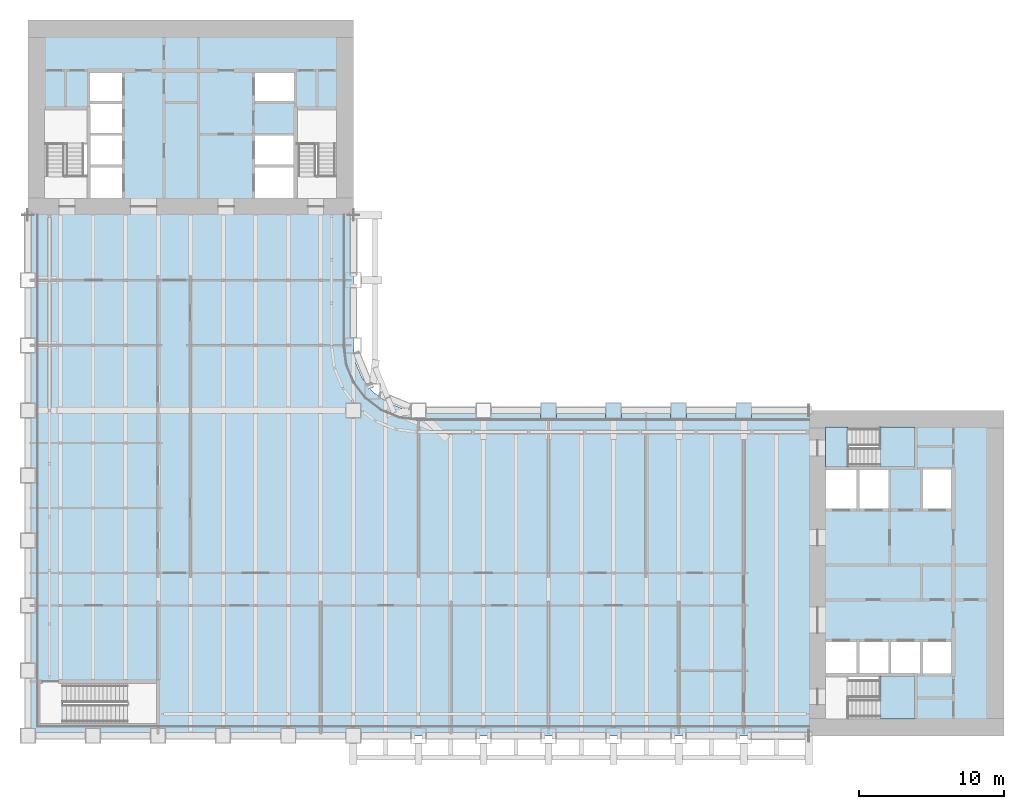
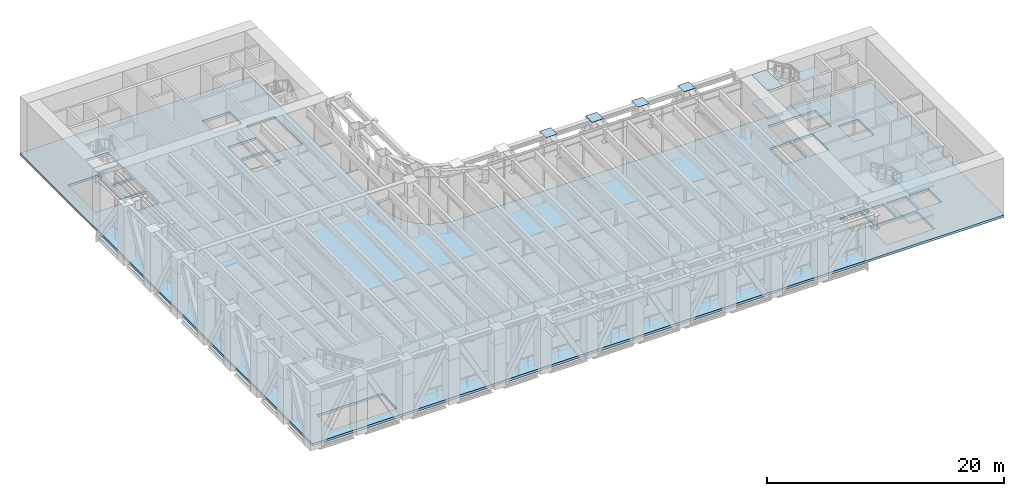
# One storey, part 4 of 19: 7 slabs, 4 plates, 2 elements without a shape of their own.
"""IFC4 building model written with IfcOpenShell, lengths in metres."""

from ifc_helpers import new_model, si_unit, direction, frame, origin, origin_2d, place, context, subcontext, project, spatial, polyline, rectangle, outline, extrude, material, layer, layer_set, type_object, element, aggregate, save


model = new_model("IFC4")

# Units and contexts
model_context = context("Model", 3, precision=1e-05, world=origin(), true_north=direction((0.0, 1.0)))
body_context = subcontext(model_context, "Body", "Model", "MODEL_VIEW")
ifc_project = project(units=[si_unit("LENGTHUNIT", "METRE"), si_unit("AREAUNIT", "SQUARE_METRE"), si_unit("VOLUMEUNIT", "CUBIC_METRE"), si_unit("PLANEANGLEUNIT", "RADIAN"), si_unit("MASSUNIT", "GRAM", prefix="KILO")], contexts=[model_context])

# Site, building, storey
site_placement = place(None, origin())
site = spatial("IfcSite", under=ifc_project, at=site_placement, CompositionType="ELEMENT")
building_placement = place(site_placement, origin())
building = spatial("IfcBuilding", under=site, at=building_placement, Name="Sennacour Bend Tower", CompositionType="ELEMENT")
storey_placement = place(building_placement, frame((0.0, 0.0, 77.0)))
storey = spatial("IfcBuildingStorey", under=building, at=storey_placement, Name="L17", CompositionType="ELEMENT", Elevation=77.0)

# Plates
ifc_material_1 = material(Name="Steel ASTM A572 Grade 50", Category="steel")
ifc_layer_1 = layer(ifc_material_1, 0.02490234375, Name="Steel ASTM A572 Grade 50", Category="steel")
ifc_layer_set_1 = layer_set([ifc_layer_1], Name="Steel ASTM A572 Grade 50")
plate_type = type_object("IfcPlateType", Name="Column cap plate 1100", PredefinedType="USERDEFINED", material=ifc_layer_set_1)
for number, where, z_axis, x_axis, name in (
    (1, (36.0, 22.5, 5.85009765625), (0.0, 0.0, 1.0), (1.0, 0.0, 0.0), "Column cap plate L17-023"),
    (2, (40.5, 22.5, 5.85009765625), (0.0, 0.0, 1.0), (1.0, 0.0, 0.0), "Column cap plate L17-025"),
    (3, (45.0, 22.5, 5.85009765625), (0.0, 0.0, 1.0), (1.0, 0.0, 0.0), "Column cap plate L17-027"),
    (4, (49.5, 22.5, 5.85009765625), (0.0, 0.0, 1.0), (1.0, 0.0, 0.0), "Column cap plate L17-029"),
):
    element("IfcPlate", number, at=place(storey_placement, frame(where, z_axis=z_axis, x_axis=x_axis)), inside=storey, type_object=plate_type, Name=name, ObjectType="END PLATE", PredefinedType="USERDEFINED", context=body_context, shape_type="SweptSolid", body=[
        extrude(rectangle(XDim=1.10009765625, YDim=1.10009765625, at=origin_2d()), origin(), (0.0, 0.0, 1.0), 0.02490234375),
    ])

# Slabs
ifc_material_2 = material(Name="Concrete C30/37", Category="concrete")
ifc_layer_2 = layer(ifc_material_2, 0.25, Name="Concrete C30/37", Category="concrete")
ifc_layer_set_2 = layer_set([ifc_layer_2], Name="Concrete C30/37")
slab_type_1 = type_object("IfcSlabType", Name="Floor slab 250", PredefinedType="FLOOR", material=ifc_layer_set_2)
slab_1_placement = place(storey_placement, frame((0.0, 0.0, -0.25)))
element("IfcSlab", 5, at=slab_1_placement, inside=storey, type_object=slab_type_1, Name="Floor slab L17-01", PredefinedType="FLOOR", context=body_context, shape_type="SweptSolid", body=[
    extrude(outline(polyline([(0.0, 36.0), (0.0, 49.5), (22.5, 49.5), (22.5, 36.0), (22.5, 27.0), (22.6533203125, 25.835205078125), (23.102783203125, 24.75), (23.818115234375, 23.818115234375), (24.75, 23.102783203125), (25.835205078125, 22.6533203125), (27.0, 22.5), (54.0, 22.5), (67.5, 22.5), (67.5, 0.0), (54.0, 0.0), (22.5, 0.0), (0.0, 0.0), (0.0, 22.5), (0.0, 36.0)]), holes=[polyline([(8.800048828125, 0.949951171875), (8.800048828125, 3.5), (2.429931640625, 3.5), (2.429931640625, 0.949951171875), (8.800048828125, 0.949951171875)]), polyline([(6.5, 37.199951171875), (6.5, 39.300048828125), (4.300048828125, 39.300048828125), (4.300048828125, 37.199951171875), (6.5, 37.199951171875)]), polyline([(18.39990234375, 37.199951171875), (18.39990234375, 39.300048828125), (15.699951171875, 39.300048828125), (15.699951171875, 37.199951171875), (18.39990234375, 37.199951171875)]), polyline([(6.5, 39.5), (6.5, 41.5), (4.300048828125, 41.5), (4.300048828125, 39.5), (6.5, 39.5)]), polyline([(18.39990234375, 39.5), (18.39990234375, 41.5), (15.699951171875, 41.5), (15.699951171875, 39.5), (18.39990234375, 39.5)]), polyline([(4.125, 38.72998046875), (4.125, 43.39990234375), (1.14990234375, 43.39990234375), (1.14990234375, 38.72998046875), (4.125, 38.72998046875)]), polyline([(21.35009765625, 38.72998046875), (21.35009765625, 43.39990234375), (18.574951171875, 43.39990234375), (18.574951171875, 38.72998046875), (21.35009765625, 38.72998046875)]), polyline([(4.300048828125, 41.699951171875), (6.5, 41.699951171875), (6.5, 43.699951171875), (4.300048828125, 43.699951171875), (4.300048828125, 41.699951171875)]), polyline([(4.300048828125, 43.89990234375), (6.5, 43.89990234375), (6.5, 45.89990234375), (4.300048828125, 45.89990234375), (4.300048828125, 43.89990234375)]), polyline([(18.39990234375, 43.89990234375), (18.39990234375, 45.89990234375), (15.699951171875, 45.89990234375), (15.699951171875, 43.89990234375), (18.39990234375, 43.89990234375)]), polyline([(61.39990234375, 1.14990234375), (61.39990234375, 4.125), (56.72998046875, 4.125), (56.72998046875, 1.14990234375), (61.39990234375, 1.14990234375)]), polyline([(57.300048828125, 4.300048828125), (57.300048828125, 6.5), (55.199951171875, 6.5), (55.199951171875, 4.300048828125), (57.300048828125, 4.300048828125)]), polyline([(57.5, 4.300048828125), (59.5, 4.300048828125), (59.5, 6.5), (57.5, 6.5), (57.5, 4.300048828125)]), polyline([(59.699951171875, 4.300048828125), (61.699951171875, 4.300048828125), (61.699951171875, 6.5), (59.699951171875, 6.5), (59.699951171875, 4.300048828125)]), polyline([(63.89990234375, 4.300048828125), (63.89990234375, 6.5), (61.89990234375, 6.5), (61.89990234375, 4.300048828125), (63.89990234375, 4.300048828125)]), polyline([(57.300048828125, 15.699951171875), (57.300048828125, 18.39990234375), (55.199951171875, 18.39990234375), (55.199951171875, 15.699951171875), (57.300048828125, 15.699951171875)]), polyline([(59.5, 15.699951171875), (59.5, 18.39990234375), (57.5, 18.39990234375), (57.5, 15.699951171875), (59.5, 15.699951171875)]), polyline([(61.89990234375, 15.699951171875), (63.89990234375, 15.699951171875), (63.89990234375, 18.39990234375), (61.89990234375, 18.39990234375), (61.89990234375, 15.699951171875)]), polyline([(56.72998046875, 18.574951171875), (61.39990234375, 18.574951171875), (61.39990234375, 21.35009765625), (56.72998046875, 21.35009765625), (56.72998046875, 18.574951171875)])]), origin(), (0.0, 0.0, 1.0), 0.25),
])
ifc_material_3 = material(Name="Concrete C40/50", Category="concrete")
ifc_layer_3 = layer(ifc_material_3, 0.034912109375, Name="Concrete C40/50", Category="concrete")
ifc_layer_set_3 = layer_set([ifc_layer_3], Name="Concrete C40/50")
slab_type_2 = type_object("IfcSlabType", Name="Stair arrival nib 35", PredefinedType="FLOOR", material=ifc_layer_set_3)
slab_2_placement = place(storey_placement, frame((0.0, 0.0, 5.815185546875)))
element("IfcSlab", 6, at=slab_2_placement, inside=storey, type_object=slab_type_2, Name="L17 SA2 stair arrival nib", PredefinedType="FLOOR", context=body_context, shape_type="SweptSolid", body=[
    extrude(outline(polyline([(56.64208984375, 21.35009765625), (55.14990234375, 21.35009765625), (55.14990234375, 18.574951171875), (56.64208984375, 18.574951171875), (56.64208984375, 21.35009765625)])), origin(), (0.0, 0.0, 1.0), 0.034912109375),
])

# Stair, slabs
stair_type = type_object("IfcStairType", Name="ST-DOGLEG", PredefinedType="HALF_TURN_STAIR", material=ifc_material_3)
stair_1_placement = place(storey_placement, origin())
stair_1 = element("IfcStair", 7, at=stair_1_placement, inside=storey, type_object=stair_type, Name="L17 Exit stair A1", PredefinedType="HALF_TURN_STAIR")
ifc_layer_4 = layer(ifc_material_3, 0.199951171875, Name="Concrete C40/50", Category="concrete")
ifc_layer_set_4 = layer_set([ifc_layer_4], Name="Concrete C40/50")
slab_type_3 = type_object("IfcSlabType", Name="Stair landing 200", PredefinedType="LANDING", material=ifc_layer_set_4)
slab_3_placement = place(storey_placement, frame((0.0, 0.0, 1.300048828125)))
slab_3 = element("IfcSlab", 8, at=slab_3_placement, type_object=slab_type_3, Name="SA1 landing 1", PredefinedType="LANDING", context=body_context, shape_type="SweptSolid", body=[
    extrude(outline(polyline([(58.93994140625, 1.14990234375), (61.324951171875, 1.14990234375), (61.324951171875, 4.125), (58.93994140625, 4.125), (58.93994140625, 1.14990234375)])), origin(), (0.0, 0.0, 1.0), 0.199951171875),
])
slab_4_placement = place(storey_placement, frame((0.0, 0.0, 4.300048828125)))
slab_4 = element("IfcSlab", 9, at=slab_4_placement, type_object=slab_type_3, Name="SA1 landing 3", PredefinedType="LANDING", context=body_context, shape_type="SweptSolid", body=[
    extrude(outline(polyline([(58.93994140625, 1.14990234375), (61.324951171875, 1.14990234375), (61.324951171875, 4.125), (58.93994140625, 4.125), (58.93994140625, 1.14990234375)])), origin(), (0.0, 0.0, 1.0), 0.199951171875),
])
aggregate(stair_1, [slab_3, slab_4])

stair_2_placement = place(storey_placement, origin())
stair_2 = element("IfcStair", 10, at=stair_2_placement, inside=storey, type_object=stair_type, Name="L17 Exit stair A2", PredefinedType="HALF_TURN_STAIR")
slab_5_placement = place(storey_placement, frame((0.0, 0.0, 1.300048828125)))
slab_5 = element("IfcSlab", 11, at=slab_5_placement, type_object=slab_type_3, Name="SA2 landing 1", PredefinedType="LANDING", context=body_context, shape_type="SweptSolid", body=[
    extrude(outline(polyline([(58.93994140625, 18.574951171875), (61.324951171875, 18.574951171875), (61.324951171875, 21.35009765625), (58.93994140625, 21.35009765625), (58.93994140625, 18.574951171875)])), origin(), (0.0, 0.0, 1.0), 0.199951171875),
])
slab_6_placement = place(storey_placement, frame((0.0, 0.0, 2.800048828125)))
slab_6 = element("IfcSlab", 12, at=slab_6_placement, type_object=slab_type_3, Name="SA2 landing 2", PredefinedType="LANDING", context=body_context, shape_type="SweptSolid", body=[
    extrude(outline(polyline([(55.14990234375, 18.574951171875), (56.699951171875, 18.574951171875), (56.699951171875, 21.35009765625), (55.14990234375, 21.35009765625), (55.14990234375, 18.574951171875)])), origin(), (0.0, 0.0, 1.0), 0.199951171875),
])
slab_7_placement = place(storey_placement, frame((0.0, 0.0, 4.300048828125)))
slab_7 = element("IfcSlab", 13, at=slab_7_placement, type_object=slab_type_3, Name="SA2 landing 3", PredefinedType="LANDING", context=body_context, shape_type="SweptSolid", body=[
    extrude(outline(polyline([(58.93994140625, 18.574951171875), (61.324951171875, 18.574951171875), (61.324951171875, 21.35009765625), (58.93994140625, 21.35009765625), (58.93994140625, 18.574951171875)])), origin(), (0.0, 0.0, 1.0), 0.199951171875),
])
aggregate(stair_2, [slab_5, slab_6, slab_7])

save(model, "model.ifc")
